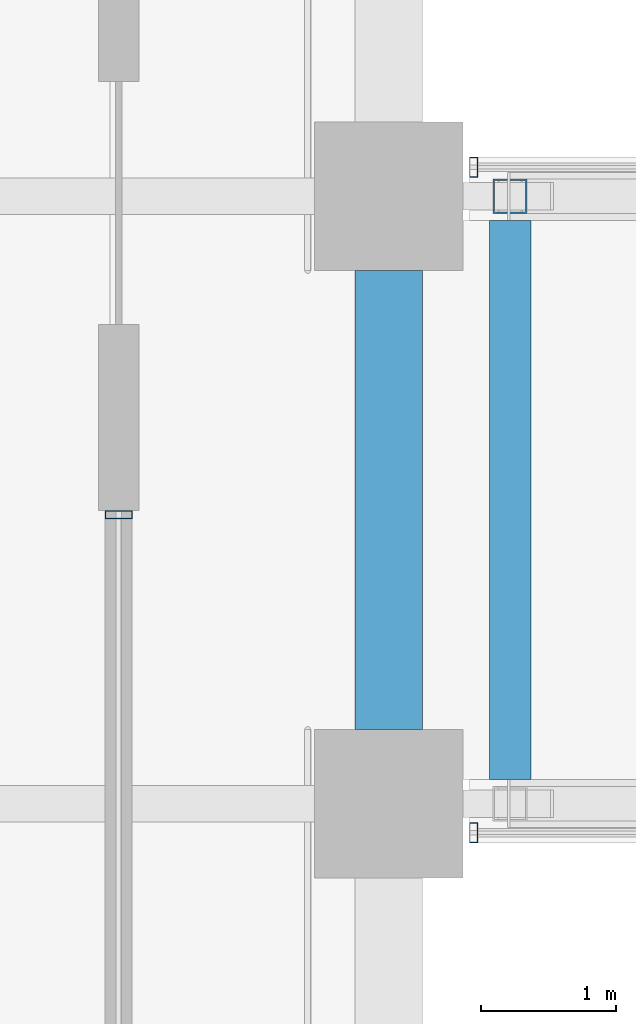
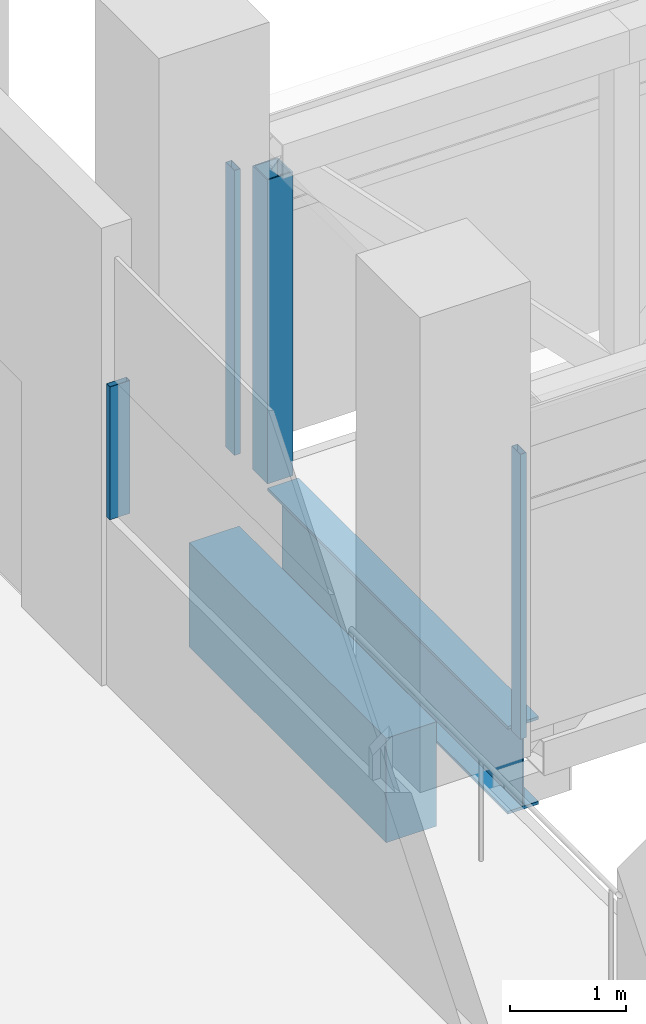
# One storey, part 13 of 44: 4 members, 2 beams, 3 elements without a shape of their own.
"""IFC4 building model written with IfcOpenShell, lengths in metres."""

from ifc_helpers import new_model, si_unit, direction, frame, origin, origin_2d, place, context, subcontext, project, spatial, rectangle, hollow_rectangle, i_section, extrude, material, material_profile, profile_set, type_object, element, aggregate, save


model = new_model("IFC4")

# Units and contexts
model_context = context("Model", 3, precision=1e-05, world=origin(), true_north=direction((0.0, 1.0)))
body_context = subcontext(model_context, "Body", "Model", "MODEL_VIEW")
ifc_project = project(units=[si_unit("LENGTHUNIT", "METRE"), si_unit("AREAUNIT", "SQUARE_METRE"), si_unit("VOLUMEUNIT", "CUBIC_METRE"), si_unit("PLANEANGLEUNIT", "RADIAN"), si_unit("MASSUNIT", "GRAM", prefix="KILO")], contexts=[model_context])

# Site, building, storey
site_placement = place(None, origin())
site = spatial("IfcSite", under=ifc_project, at=site_placement, CompositionType="ELEMENT")
building_placement = place(site_placement, origin())
building = spatial("IfcBuilding", under=site, at=building_placement, Name="Altepetl Exchange Towers", CompositionType="ELEMENT")
storey_placement = place(building_placement, frame((0.0, 0.0, 87.0)))
storey = spatial("IfcBuildingStorey", under=building, at=storey_placement, Name="L21 Refuge", CompositionType="ELEMENT", Elevation=87.0)

# Beam
ifc_material_1 = material(Name="Steel S355", Category="steel")
ifc_material_profile_1 = material_profile(ifc_material_1, i_section(OverallWidth=0.306884765625, OverallDepth=0.923095703125, WebThickness=0.018310546875, FlangeThickness=0.030029296875, at=origin_2d()), Name="W36X182")
ifc_profile_set_1 = profile_set([ifc_material_profile_1], Name="Steel S355")
beam_type_1 = type_object("IfcBeamType", Name="Bridge deck beam W36X182", PredefinedType="BEAM", material=ifc_profile_set_1)
beam_1_placement = place(storey_placement, frame((72.89990234375, 45.177978515625, -0.66162109375), z_axis=(0.0, 1.0, 0.0), x_axis=(-1.0, 0.0, 0.0)))
element("IfcBeam", 1, at=beam_1_placement, inside=storey, type_object=beam_type_1, Name="bm:X:L21:eg-a", PredefinedType="BEAM", context=body_context, shape_type="SweptSolid", body=[
    extrude(i_section(OverallWidth=0.306884765625, OverallDepth=0.923095703125, WebThickness=0.018310546875, FlangeThickness=0.030029296875, at=origin_2d()), origin(), (0.0, 0.0, 1.0), 4.14404296875),
])

# Member
ifc_material_profile_2 = material_profile(ifc_material_1, hollow_rectangle(XDim=0.25390625, YDim=0.25390625, WallThickness=0.01171875, at=origin_2d()), Name="HSS254X254X12.7")
ifc_profile_set_2 = profile_set([ifc_material_profile_2], Name="Steel S355")
member_type_1 = type_object("IfcMemberType", Name="Bridge post HSS254X254X12.7", PredefinedType="POST", material=ifc_profile_set_2)
member_1_placement = place(storey_placement, frame((72.89990234375, 49.5, -0.199951171875)))
element("IfcMember", 2, at=member_1_placement, inside=storey, type_object=member_type_1, Name="tr:X:L21:ps-n0", PredefinedType="POST", context=body_context, shape_type="SweptSolid", body=[
    extrude(hollow_rectangle(XDim=0.25390625, YDim=0.25390625, WallThickness=0.01171875, at=origin_2d()), origin(), (0.0, 0.0, 1.0), 3.199951171875),
])

# Curtain wall, member
ifc_material_2 = material(Name="Aluminium 6063-T6 glazing", Category="aluminium")
curtain_wall_type_1 = type_object("IfcCurtainWallType", Name="Bridge enclosure system", PredefinedType="NOTDEFINED", material=ifc_material_2)
curtain_wall_1_placement = place(storey_placement, origin())
curtain_wall_1 = element("IfcCurtainWall", 3, at=curtain_wall_1_placement, inside=storey, type_object=curtain_wall_type_1, Name="CW6 run", PredefinedType="NOTDEFINED")
ifc_material_3 = material(Name="Aluminium 6063-T6", Category="aluminium")
ifc_material_profile_3 = material_profile(ifc_material_3, hollow_rectangle(XDim=0.06005859375, YDim=0.14990234375, WallThickness=0.0029296875, at=origin_2d()), Name="Mullion 60x150 aluminium")
ifc_profile_set_3 = profile_set([ifc_material_profile_3], Name="Aluminium 6063-T6")
member_type_2 = type_object("IfcMemberType", Name="Mullion 60x150 aluminium", PredefinedType="MULLION", material=ifc_profile_set_3)
member_2_placement = place(storey_placement, frame((72.6298828125, 44.784912109375, 0.0)))
member_2 = element("IfcMember", 4, at=member_2_placement, type_object=member_type_2, Name="MU1 mullion", PredefinedType="MULLION", context=body_context, shape_type="SweptSolid", body=[
    extrude(hollow_rectangle(XDim=0.06005859375, YDim=0.14990234375, WallThickness=0.0029296875, at=origin_2d()), origin(), (0.0, 0.0, 1.0), 3.0),
])
aggregate(curtain_wall_1, [member_2])

curtain_wall_2_placement = place(storey_placement, origin())
curtain_wall_2 = element("IfcCurtainWall", 5, at=curtain_wall_2_placement, inside=storey, type_object=curtain_wall_type_1, Name="CW6 run", PredefinedType="NOTDEFINED")
member_3_placement = place(storey_placement, frame((72.6298828125, 49.715087890625, 0.0)))
member_3 = element("IfcMember", 6, at=member_3_placement, type_object=member_type_2, Name="MU1 mullion", PredefinedType="MULLION", context=body_context, shape_type="SweptSolid", body=[
    extrude(hollow_rectangle(XDim=0.06005859375, YDim=0.14990234375, WallThickness=0.0029296875, at=origin_2d()), origin(), (0.0, 0.0, 1.0), 3.0),
])
aggregate(curtain_wall_2, [member_3])

curtain_wall_type_2 = type_object("IfcCurtainWallType", Name="Refuge slit glazing system", PredefinedType="NOTDEFINED", material=ifc_material_2)
curtain_wall_3_placement = place(storey_placement, origin())
curtain_wall_3 = element("IfcCurtainWall", 7, at=curtain_wall_3_placement, inside=storey, type_object=curtain_wall_type_2, Name="CW3 run", PredefinedType="NOTDEFINED")
ifc_material_profile_4 = material_profile(ifc_material_3, hollow_rectangle(XDim=0.06005859375, YDim=0.199951171875, WallThickness=0.0029296875, at=origin_2d()), Name="Mullion 60x200 aluminium")
ifc_profile_set_4 = profile_set([ifc_material_profile_4], Name="Aluminium 6063-T6")
member_type_3 = type_object("IfcMemberType", Name="Mullion 60x200 aluminium", PredefinedType="MULLION", material=ifc_profile_set_4)
member_4_placement = place(storey_placement, frame((70.0, 47.141357421875, 1.800048828125), z_axis=(0.0, 0.0, 1.0), x_axis=(0.0, 1.0, 0.0)))
member_4 = element("IfcMember", 8, at=member_4_placement, type_object=member_type_3, Name="MU2 mullion", PredefinedType="MULLION", context=body_context, shape_type="SweptSolid", body=[
    extrude(hollow_rectangle(XDim=0.06005859375, YDim=0.199951171875, WallThickness=0.0029296875, at=origin_2d()), origin(), (0.0, 0.0, 1.0), 1.39990234375),
])
aggregate(curtain_wall_3, [member_4])

# Beam
ifc_material_4 = material(Name="Concrete C50/60 precast with cantera amarilla facing", Category="concrete")
ifc_material_profile_5 = material_profile(ifc_material_4, rectangle(XDim=0.5, YDim=1.10009765625, at=origin_2d()), Name="500 x 1100")
ifc_profile_set_5 = profile_set([ifc_material_profile_5], Name="Concrete C50/60 precast with cantera amarilla facing")
beam_type_2 = type_object("IfcBeamType", Name="Spandrel beam 500x1100 cantera amarilla", PredefinedType="SPANDREL", material=ifc_profile_set_5)
beam_2_placement = place(storey_placement, frame((72.0, 45.550048828125, -0.75), z_axis=(0.0, 1.0, 0.0), x_axis=(-1.0, 0.0, 0.0)))
element("IfcBeam", 9, at=beam_2_placement, inside=storey, type_object=beam_type_2, Name="sp:A:L21:015", PredefinedType="SPANDREL", context=body_context, shape_type="SweptSolid", body=[
    extrude(rectangle(XDim=0.5, YDim=1.10009765625, at=origin_2d()), origin(), (0.0, 0.0, 1.0), 3.39990234375),
])

save(model, "model.ifc")
